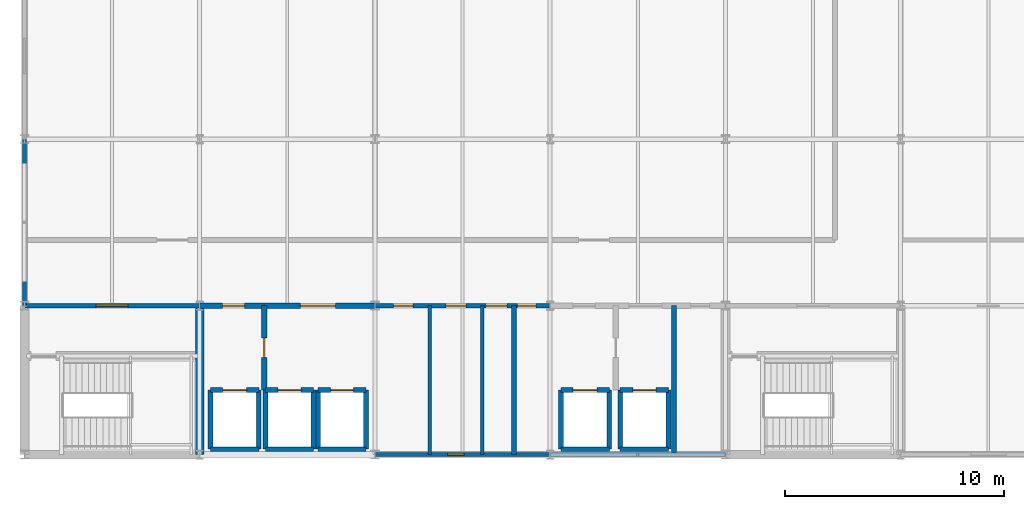
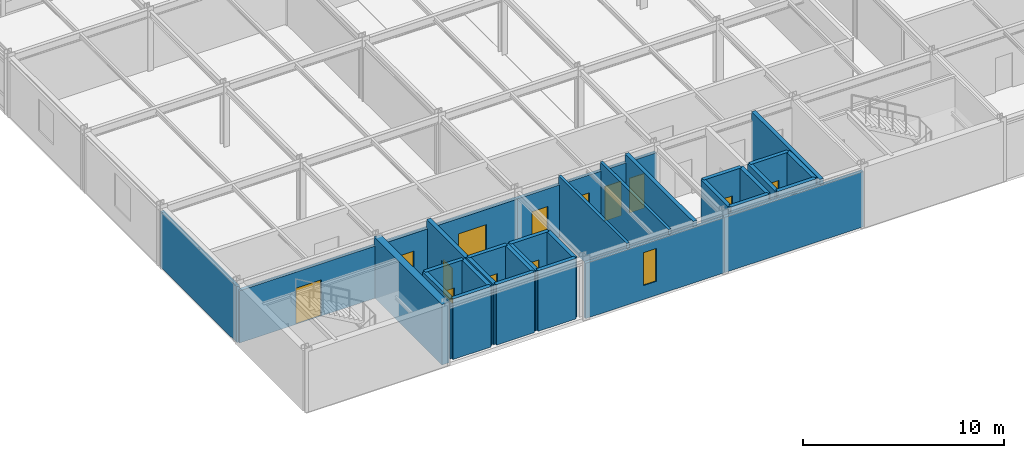
# One storey, part 13 of 17: 32 walls, 13 doors, 1 window, 14 openings.
"""IFC4 building model written with IfcOpenShell, lengths in metres."""

from ifc_helpers import new_model, si_unit, direction, frame, frame_2d, origin, place, context, subcontext, project, spatial, rectangle, extrude, material, layer, layer_set, type_object, element, fill, save


model = new_model("IFC4")

# Units and contexts
model_context = context("Model", 3, precision=1e-05, world=origin(), true_north=direction((0.0, 1.0)))
body_context = subcontext(model_context, "Body", "Model", "MODEL_VIEW")
ifc_project = project(units=[si_unit("LENGTHUNIT", "METRE"), si_unit("AREAUNIT", "SQUARE_METRE"), si_unit("VOLUMEUNIT", "CUBIC_METRE"), si_unit("PLANEANGLEUNIT", "RADIAN"), si_unit("MASSUNIT", "GRAM", prefix="KILO")], contexts=[model_context])

# Site, building, storey
site_placement = place(None, origin())
site = spatial("IfcSite", under=ifc_project, at=site_placement, CompositionType="ELEMENT")
building_placement = place(site_placement, origin())
building = spatial("IfcBuilding", under=site, at=building_placement, Name="Shalkamar Park Central Library", CompositionType="ELEMENT")
storey_placement = place(building_placement, frame((0.0, 0.0, 36.0)))
storey = spatial("IfcBuildingStorey", under=building, at=storey_placement, Name="L09", CompositionType="ELEMENT", Elevation=36.0)

# Wall, opening, door
ifc_material_1 = material(Name="Reinforced fire-compartment masonry wall", Category="masonry")
ifc_layer_1 = layer(ifc_material_1, 0.239990234375)
ifc_layer_set_1 = layer_set([ifc_layer_1], Name="CompartmentWall_240")
wall_type_1 = type_object("IfcWallType", Name="Compartment Wall 240", PredefinedType="PARTITIONING", material=ifc_layer_set_1)
wall_1_placement = place(storey_placement, frame((175.949951171875, 251.35009765625, 0.0), z_axis=(0.0, 0.0, 1.0), x_axis=(0.0, 1.0, 0.0)))
wall_1 = element("IfcWall", 1, at=wall_1_placement, inside=storey, type_object=wall_type_1, Name="Interior Partition WL-INT-L09-001", PredefinedType="PARTITIONING", context=body_context, shape_type="SweptSolid", body=[
    extrude(rectangle(XDim=3.849853515625, YDim=0.239990234375, at=frame_2d((1.9248046875, 0.0))), origin(), (0.0, 0.0, 1.0), 3.679931640625),
])
opening_1_placement = place(wall_1_placement, frame((1.47509765625, 0.0, 0.0)))
opening_1 = element("IfcOpeningElement", 2, at=opening_1_placement, cuts=wall_1, Name="Opening DR-L09-001", PredefinedType="OPENING", context=body_context, shape_type="SweptSolid", body=[
    extrude(rectangle(XDim=0.89990234375, YDim=2.10009765625, at=frame_2d((0.449951171875, 1.050048828125))), frame((0.0, 0.134765625, 0.0), z_axis=(0.0, -1.0, 0.0), x_axis=(1.0, 0.0, 0.0)), (0.0, 0.0, 1.0), 0.269775390625),
])
ifc_material_2 = material(Name="Steel S355", Category="steel")
door_type_1 = type_object("IfcDoorType", Name="Fire Door Single 900x2100", OperationType="NOTDEFINED", PredefinedType="DOOR", material=ifc_material_2)
door_1_placement = place(opening_1_placement, origin())
door_1 = element("IfcDoor", 3, at=door_1_placement, inside=storey, type_object=door_type_1, Name="Fire Lobby Interconnect Door", OperationType="SINGLE_SWING_LEFT", OverallHeight=2.10009765625, OverallWidth=0.89990234375, PredefinedType="DOOR", context=body_context, shape_type="SweptSolid", body=[
    extrude(rectangle(XDim=0.89990234375, YDim=2.10009765625, at=frame_2d((0.449951171875, 1.050048828125))), frame((0.0, 0.02490234375, 0.0), z_axis=(0.0, -1.0, 0.0), x_axis=(1.0, 0.0, 0.0)), (0.0, 0.0, 1.0), 0.050048828125),
])
fill(opening_1, door_1)

# Wall, openings, doors
wall_2_placement = place(storey_placement, frame((173.0, 255.199951171875, 0.0), z_axis=(0.0, 0.0, 1.0), x_axis=(1.0, 0.0, 0.0)))
wall_2 = element("IfcWall", 4, at=wall_2_placement, inside=storey, type_object=wall_type_1, Name="Interior Partition WL-INT-L09-007", PredefinedType="PARTITIONING", context=body_context, shape_type="SweptSolid", body=[
    extrude(rectangle(XDim=8.0, YDim=0.239990234375, at=frame_2d((4.0, 0.0))), origin(), (0.0, 0.0, 1.0), 3.177978515625),
])
opening_2_placement = place(wall_2_placement, frame((1.050048828125, 0.0, 0.0)))
opening_2 = element("IfcOpeningElement", 5, at=opening_2_placement, cuts=wall_2, Name="Opening DR-L09-003", PredefinedType="OPENING", context=body_context, shape_type="SweptSolid", body=[
    extrude(rectangle(XDim=1.0, YDim=2.10009765625, at=frame_2d((0.5, 1.050048828125))), frame((0.0, 0.134765625, 0.0), z_axis=(0.0, -1.0, 0.0), x_axis=(1.0, 0.0, 0.0)), (0.0, 0.0, 1.0), 0.269775390625),
])
opening_3_placement = place(wall_2_placement, frame((4.60009765625, 0.0, 0.0)))
opening_3 = element("IfcOpeningElement", 6, at=opening_3_placement, cuts=wall_2, Name="Opening DR-L09-004", PredefinedType="OPENING", context=body_context, shape_type="SweptSolid", body=[
    extrude(rectangle(XDim=1.60009765625, YDim=2.25, at=frame_2d((0.800048828125, 1.125))), frame((0.0, 0.134765625, 0.0), z_axis=(0.0, -1.0, 0.0), x_axis=(1.0, 0.0, 0.0)), (0.0, 0.0, 1.0), 0.269775390625),
])
door_type_2 = type_object("IfcDoorType", Name="Fire Door Single 1000x2100", OperationType="NOTDEFINED", PredefinedType="DOOR", material=ifc_material_2)
door_2_placement = place(opening_2_placement, origin())
door_2 = element("IfcDoor", 7, at=door_2_placement, inside=storey, type_object=door_type_2, Name="West Firefighting Lobby Door", OperationType="SINGLE_SWING_LEFT", OverallHeight=2.10009765625, OverallWidth=1.0, PredefinedType="DOOR", context=body_context, shape_type="SweptSolid", body=[
    extrude(rectangle(XDim=1.0, YDim=2.10009765625, at=frame_2d((0.5, 1.050048828125))), frame((0.0, 0.02490234375, 0.0), z_axis=(0.0, -1.0, 0.0), x_axis=(1.0, 0.0, 0.0)), (0.0, 0.0, 1.0), 0.050048828125),
])
fill(opening_2, door_2)
door_type_3 = type_object("IfcDoorType", Name="Interior Door Double 1600x2250", OperationType="DOUBLE_DOOR_SINGLE_SWING", PredefinedType="DOOR", material=ifc_material_2)
door_3_placement = place(opening_3_placement, frame((1.60009765625, 0.0, 0.0), z_axis=(0.0, 0.0, 1.0), x_axis=(-1.0, 0.0, 0.0)))
door_3 = element("IfcDoor", 8, at=door_3_placement, inside=storey, type_object=door_type_3, Name="West Lift Lobby Entrance", OperationType="DOUBLE_DOOR_SINGLE_SWING", OverallHeight=2.25, OverallWidth=1.60009765625, PredefinedType="DOOR", context=body_context, shape_type="SweptSolid", body=[
    extrude(rectangle(XDim=1.60009765625, YDim=2.25, at=frame_2d((0.800048828125, 1.125))), frame((0.0, 0.02490234375, 0.0), z_axis=(0.0, -1.0, 0.0), x_axis=(1.0, 0.0, 0.0)), (0.0, 0.0, 1.0), 0.050048828125),
])
fill(opening_3, door_3)

# Wall, opening, door
ifc_material_3 = material(Name="Fire-rated corridor partition wall", Category="masonry")
ifc_layer_2 = layer(ifc_material_3, 0.199951171875)
ifc_layer_set_2 = layer_set([ifc_layer_2], Name="CorridorFireWall_200")
wall_type_2 = type_object("IfcWallType", Name="Corridor Fire Wall 200", PredefinedType="PARTITIONING", material=ifc_layer_set_2)
wall_3_placement = place(storey_placement, frame((165.0, 255.199951171875, 0.0), z_axis=(0.0, 0.0, 1.0), x_axis=(1.0, 0.0, 0.0)))
wall_3 = element("IfcWall", 9, at=wall_3_placement, inside=storey, type_object=wall_type_2, Name="CORE-T1 Vestibule North Wall (L09)", PredefinedType="PARTITIONING", context=body_context, shape_type="SweptSolid", body=[
    extrude(rectangle(XDim=8.0, YDim=0.199951171875, at=frame_2d((4.0, 0.0))), origin(), (0.0, 0.0, 1.0), 3.177978515625),
])
opening_4_placement = place(wall_3_placement, frame((3.27490234375, 0.0, 0.0)))
opening_4 = element("IfcOpeningElement", 10, at=opening_4_placement, cuts=wall_3, Name="Opening DR-ST-T1-L09-VEST", PredefinedType="OPENING", context=body_context, shape_type="SweptSolid", body=[
    extrude(rectangle(XDim=1.449951171875, YDim=2.199951171875, at=frame_2d((0.72509765625, 1.10009765625))), frame((0.0, 0.11474609375, 0.0), z_axis=(0.0, -1.0, 0.0), x_axis=(1.0, 0.0, 0.0)), (0.0, 0.0, 1.0), 0.229736328125),
])
door_type_4 = type_object("IfcDoorType", Name="Stair Vestibule Door 1450x2200", OperationType="DOUBLE_DOOR_SINGLE_SWING", PredefinedType="DOOR", material=ifc_material_2)
door_4_placement = place(opening_4_placement, frame((1.449951171875, 0.0, 0.0), z_axis=(0.0, 0.0, 1.0), x_axis=(-1.0, 0.0, 0.0)))
door_4 = element("IfcDoor", 11, at=door_4_placement, inside=storey, type_object=door_type_4, Name="Protected Stair ST-T1 Vestibule Door (L09)", OperationType="DOUBLE_DOOR_SINGLE_SWING", OverallHeight=2.199951171875, OverallWidth=1.449951171875, PredefinedType="DOOR", context=body_context, shape_type="SweptSolid", body=[
    extrude(rectangle(XDim=1.449951171875, YDim=2.199951171875, at=frame_2d((0.72509765625, 1.10009765625))), frame((0.0, 0.02490234375, 0.0), z_axis=(0.0, -1.0, 0.0), x_axis=(1.0, 0.0, 0.0)), (0.0, 0.0, 1.0), 0.050048828125),
])
fill(opening_4, door_4)

# Wall, openings, doors
wall_4_placement = place(storey_placement, frame((181.0, 255.199951171875, 0.0), z_axis=(0.0, 0.0, 1.0), x_axis=(1.0, 0.0, 0.0)))
wall_4 = element("IfcWall", 12, at=wall_4_placement, inside=storey, type_object=wall_type_2, Name="Interior Partition WL-INT-L09-008", PredefinedType="PARTITIONING", context=body_context, shape_type="SweptSolid", body=[
    extrude(rectangle(XDim=8.0, YDim=0.199951171875, at=frame_2d((4.0, 0.0))), origin(), (0.0, 0.0, 1.0), 3.177978515625),
])
opening_5_placement = place(wall_4_placement, frame((0.85009765625, 0.0, 0.0)))
opening_5 = element("IfcOpeningElement", 13, at=opening_5_placement, cuts=wall_4, Name="Opening DR-L09-005", PredefinedType="OPENING", context=body_context, shape_type="SweptSolid", body=[
    extrude(rectangle(XDim=0.89990234375, YDim=2.10009765625, at=frame_2d((0.449951171875, 1.050048828125))), frame((0.0, 0.11474609375, 0.0), z_axis=(0.0, -1.0, 0.0), x_axis=(1.0, 0.0, 0.0)), (0.0, 0.0, 1.0), 0.229736328125),
])
opening_6_placement = place(wall_4_placement, frame((3.25, 0.0, 0.0)))
opening_6 = element("IfcOpeningElement", 14, at=opening_6_placement, cuts=wall_4, Name="Opening DR-L09-006", PredefinedType="OPENING", context=body_context, shape_type="SweptSolid", body=[
    extrude(rectangle(XDim=0.89990234375, YDim=2.10009765625, at=frame_2d((0.449951171875, 1.050048828125))), frame((0.0, 0.11474609375, 0.0), z_axis=(0.0, -1.0, 0.0), x_axis=(1.0, 0.0, 0.0)), (0.0, 0.0, 1.0), 0.229736328125),
])
opening_7_placement = place(wall_4_placement, frame((5.074951171875, 0.0, 0.0)))
opening_7 = element("IfcOpeningElement", 15, at=opening_7_placement, cuts=wall_4, Name="Opening DR-L09-007", PredefinedType="OPENING", context=body_context, shape_type="SweptSolid", body=[
    extrude(rectangle(XDim=0.949951171875, YDim=2.10009765625, at=frame_2d((0.47509765625, 1.050048828125))), frame((0.0, 0.11474609375, 0.0), z_axis=(0.0, -1.0, 0.0), x_axis=(1.0, 0.0, 0.0)), (0.0, 0.0, 1.0), 0.229736328125),
])
opening_8_placement = place(wall_4_placement, frame((6.5, 0.0, 0.0)))
opening_8 = element("IfcOpeningElement", 16, at=opening_8_placement, cuts=wall_4, Name="Opening DR-L09-008", PredefinedType="OPENING", context=body_context, shape_type="SweptSolid", body=[
    extrude(rectangle(XDim=0.85009765625, YDim=2.10009765625, at=frame_2d((0.425048828125, 1.050048828125))), frame((0.0, 0.11474609375, 0.0), z_axis=(0.0, -1.0, 0.0), x_axis=(1.0, 0.0, 0.0)), (0.0, 0.0, 1.0), 0.229736328125),
])
door_type_5 = type_object("IfcDoorType", Name="Fire Door Riser 850x2100", OperationType="NOTDEFINED", PredefinedType="DOOR", material=ifc_material_2)
door_5_placement = place(opening_8_placement, frame((0.85009765625, 0.0, 0.0), z_axis=(0.0, 0.0, 1.0), x_axis=(-1.0, 0.0, 0.0)))
door_5 = element("IfcDoor", 17, at=door_5_placement, inside=storey, type_object=door_type_5, Name="Electrical Riser Access Door", OperationType="SINGLE_SWING_LEFT", OverallHeight=2.10009765625, OverallWidth=0.85009765625, PredefinedType="DOOR", context=body_context, shape_type="SweptSolid", body=[
    extrude(rectangle(XDim=0.85009765625, YDim=2.10009765625, at=frame_2d((0.425048828125, 1.050048828125))), frame((0.0, 0.02490234375, 0.0), z_axis=(0.0, -1.0, 0.0), x_axis=(1.0, 0.0, 0.0)), (0.0, 0.0, 1.0), 0.050048828125),
])
fill(opening_8, door_5)
door_type_6 = type_object("IfcDoorType", Name="Interior Door Single 900x2100", OperationType="NOTDEFINED", PredefinedType="DOOR", material=ifc_material_2)
door_6_placement = place(opening_5_placement, frame((0.89990234375, 0.0, 0.0), z_axis=(0.0, 0.0, 1.0), x_axis=(-1.0, 0.0, 0.0)))
door_6 = element("IfcDoor", 18, at=door_6_placement, inside=storey, type_object=door_type_6, Name="Male WC Door", OperationType="SINGLE_SWING_RIGHT", OverallHeight=2.10009765625, OverallWidth=0.89990234375, PredefinedType="DOOR", context=body_context, shape_type="SweptSolid", body=[
    extrude(rectangle(XDim=0.89990234375, YDim=2.10009765625, at=frame_2d((0.449951171875, 1.050048828125))), frame((0.0, 0.02490234375, 0.0), z_axis=(0.0, -1.0, 0.0), x_axis=(1.0, 0.0, 0.0)), (0.0, 0.0, 1.0), 0.050048828125),
])
fill(opening_5, door_6)
door_7_placement = place(opening_6_placement, frame((0.89990234375, 0.0, 0.0), z_axis=(0.0, 0.0, 1.0), x_axis=(-1.0, 0.0, 0.0)))
door_7 = element("IfcDoor", 19, at=door_7_placement, inside=storey, type_object=door_type_6, Name="Female WC Door", OperationType="SINGLE_SWING_RIGHT", OverallHeight=2.10009765625, OverallWidth=0.89990234375, PredefinedType="DOOR", context=body_context, shape_type="SweptSolid", body=[
    extrude(rectangle(XDim=0.89990234375, YDim=2.10009765625, at=frame_2d((0.449951171875, 1.050048828125))), frame((0.0, 0.02490234375, 0.0), z_axis=(0.0, -1.0, 0.0), x_axis=(1.0, 0.0, 0.0)), (0.0, 0.0, 1.0), 0.050048828125),
])
fill(opening_6, door_7)
door_type_7 = type_object("IfcDoorType", Name="Interior Door Single 950x2100", OperationType="NOTDEFINED", PredefinedType="DOOR", material=ifc_material_2)
door_8_placement = place(opening_7_placement, frame((0.949951171875, 0.0, 0.0), z_axis=(0.0, 0.0, 1.0), x_axis=(-1.0, 0.0, 0.0)))
door_8 = element("IfcDoor", 20, at=door_8_placement, inside=storey, type_object=door_type_7, Name="Universal Accessible WC Door", OperationType="SINGLE_SWING_LEFT", OverallHeight=2.10009765625, OverallWidth=0.949951171875, PredefinedType="DOOR", context=body_context, shape_type="SweptSolid", body=[
    extrude(rectangle(XDim=0.949951171875, YDim=2.10009765625, at=frame_2d((0.47509765625, 1.050048828125))), frame((0.0, 0.02490234375, 0.0), z_axis=(0.0, -1.0, 0.0), x_axis=(1.0, 0.0, 0.0)), (0.0, 0.0, 1.0), 0.050048828125),
])
fill(opening_7, door_8)

# Walls
ifc_material_4 = material(Name="Concrete C40/50", Category="concrete")
ifc_layer_3 = layer(ifc_material_4, 0.219970703125)
ifc_layer_set_3 = layer_set([ifc_layer_3], Name="Concrete C40/50")
wall_type_3 = type_object("IfcWallType", Name="Lift Hoistway Shear Wall 220", PredefinedType="SHEAR", material=ifc_layer_set_3)
wall_5_placement = place(storey_placement, frame((173.5, 248.64990234375, 0.0), z_axis=(0.0, 0.0, 1.0), x_axis=(1.0, 0.0, 0.0)))
element("IfcWall", 21, at=wall_5_placement, inside=storey, type_object=wall_type_3, Name="Lift FFL-01 Hoistway South Wall (L09)", PredefinedType="SHEAR", context=body_context, shape_type="SweptSolid", body=[
    extrude(rectangle(XDim=2.199951171875, YDim=0.219970703125, at=frame_2d((1.10009765625, 0.0))), origin(), (0.0, 0.0, 1.0), 3.679931640625),
])
for number, where, z_axis, x_axis, name in (
    (22, (173.5, 248.64990234375, 0.0), (0.0, 0.0, 1.0), (0.0, 1.0, 0.0), "Lift FFL-01 Hoistway West Wall (L09)"),
    (23, (175.699951171875, 248.64990234375, 0.0), (0.0, 0.0, 1.0), (0.0, 1.0, 0.0), "Lift FFL-01 Hoistway East Wall (L09)"),
):
    element("IfcWall", number, at=place(storey_placement, frame(where, z_axis=z_axis, x_axis=x_axis)), inside=storey, type_object=wall_type_3, Name=name, PredefinedType="SHEAR", context=body_context, shape_type="SweptSolid", body=[
        extrude(rectangle(XDim=2.7001953125, YDim=0.219970703125, at=frame_2d((1.35009765625, 0.0))), origin(), (0.0, 0.0, 1.0), 3.679931640625),
    ])

# Wall, opening, door
wall_6_placement = place(storey_placement, frame((173.5, 251.35009765625, 0.0), z_axis=(0.0, 0.0, 1.0), x_axis=(1.0, 0.0, 0.0)))
wall_6 = element("IfcWall", 24, at=wall_6_placement, inside=storey, type_object=wall_type_3, Name="Lift FFL-01 Hoistway Front Wall (L09)", PredefinedType="SHEAR", context=body_context, shape_type="SweptSolid", body=[
    extrude(rectangle(XDim=2.199951171875, YDim=0.219970703125, at=frame_2d((1.10009765625, 0.0))), origin(), (0.0, 0.0, 1.0), 3.679931640625),
])
opening_9_placement = place(wall_6_placement, frame((0.550048828125, 0.0, 0.0)))
opening_9 = element("IfcOpeningElement", 25, at=opening_9_placement, cuts=wall_6, Name="Opening LD-FFL-01-L09", PredefinedType="OPENING", context=body_context, shape_type="SweptSolid", body=[
    extrude(rectangle(XDim=1.10009765625, YDim=2.14990234375, at=frame_2d((0.550048828125, 1.074951171875))), frame((0.0, 0.125, 0.0), z_axis=(0.0, -1.0, 0.0), x_axis=(1.0, 0.0, 0.0)), (0.0, 0.0, 1.0), 0.249755859375),
])
door_type_8 = type_object("IfcDoorType", Name="Fire Lift Landing Door 1100x2150", OperationType="DOUBLE_DOOR_SLIDING", PredefinedType="USERDEFINED", material=ifc_material_2)
door_9_placement = place(opening_9_placement, origin())
door_9 = element("IfcDoor", 26, at=door_9_placement, inside=storey, type_object=door_type_8, Name="Lift FFL-01 Sliding Landing Door (L09)", ObjectType="SLIDING LANDING DOOR", OperationType="DOUBLE_DOOR_SLIDING", OverallHeight=2.14990234375, OverallWidth=1.10009765625, PredefinedType="USERDEFINED", context=body_context, shape_type="SweptSolid", body=[
    extrude(rectangle(XDim=1.10009765625, YDim=2.14990234375, at=frame_2d((0.550048828125, 1.074951171875))), frame((0.0, 0.02490234375, 0.0), z_axis=(0.0, -1.0, 0.0), x_axis=(1.0, 0.0, 0.0)), (0.0, 0.0, 1.0), 0.050048828125),
])
fill(opening_9, door_9)

# Walls
wall_7_placement = place(storey_placement, frame((176.0, 248.64990234375, 0.0), z_axis=(0.0, 0.0, 1.0), x_axis=(1.0, 0.0, 0.0)))
element("IfcWall", 27, at=wall_7_placement, inside=storey, type_object=wall_type_3, Name="Lift LT-01 Hoistway South Wall (L09)", PredefinedType="SHEAR", context=body_context, shape_type="SweptSolid", body=[
    extrude(rectangle(XDim=2.199951171875, YDim=0.219970703125, at=frame_2d((1.10009765625, 0.0))), origin(), (0.0, 0.0, 1.0), 3.679931640625),
])
for number, where, z_axis, x_axis, name in (
    (28, (176.0, 248.64990234375, 0.0), (0.0, 0.0, 1.0), (0.0, 1.0, 0.0), "Lift LT-01 Hoistway West Wall (L09)"),
    (29, (178.199951171875, 248.64990234375, 0.0), (0.0, 0.0, 1.0), (0.0, 1.0, 0.0), "Lift LT-01 Hoistway East Wall (L09)"),
):
    element("IfcWall", number, at=place(storey_placement, frame(where, z_axis=z_axis, x_axis=x_axis)), inside=storey, type_object=wall_type_3, Name=name, PredefinedType="SHEAR", context=body_context, shape_type="SweptSolid", body=[
        extrude(rectangle(XDim=2.7001953125, YDim=0.219970703125, at=frame_2d((1.35009765625, 0.0))), origin(), (0.0, 0.0, 1.0), 3.679931640625),
    ])

# Wall, opening, door
wall_8_placement = place(storey_placement, frame((176.0, 251.35009765625, 0.0), z_axis=(0.0, 0.0, 1.0), x_axis=(1.0, 0.0, 0.0)))
wall_8 = element("IfcWall", 30, at=wall_8_placement, inside=storey, type_object=wall_type_3, Name="Lift LT-01 Hoistway Front Wall (L09)", PredefinedType="SHEAR", context=body_context, shape_type="SweptSolid", body=[
    extrude(rectangle(XDim=2.199951171875, YDim=0.219970703125, at=frame_2d((1.10009765625, 0.0))), origin(), (0.0, 0.0, 1.0), 3.679931640625),
])
opening_10_placement = place(wall_8_placement, frame((0.574951171875, 0.0, 0.0)))
opening_10 = element("IfcOpeningElement", 31, at=opening_10_placement, cuts=wall_8, Name="Opening LD-LT-01-L09", PredefinedType="OPENING", context=body_context, shape_type="SweptSolid", body=[
    extrude(rectangle(XDim=1.050048828125, YDim=2.14990234375, at=frame_2d((0.52490234375, 1.074951171875))), frame((0.0, 0.125, 0.0), z_axis=(0.0, -1.0, 0.0), x_axis=(1.0, 0.0, 0.0)), (0.0, 0.0, 1.0), 0.249755859375),
])
door_type_9 = type_object("IfcDoorType", Name="Passenger Lift Landing Door 1050x2150", OperationType="DOUBLE_DOOR_SLIDING", PredefinedType="USERDEFINED", material=ifc_material_2)
door_10_placement = place(opening_10_placement, origin())
door_10 = element("IfcDoor", 32, at=door_10_placement, inside=storey, type_object=door_type_9, Name="Lift LT-01 Sliding Landing Door (L09)", ObjectType="SLIDING LANDING DOOR", OperationType="DOUBLE_DOOR_SLIDING", OverallHeight=2.14990234375, OverallWidth=1.050048828125, PredefinedType="USERDEFINED", context=body_context, shape_type="SweptSolid", body=[
    extrude(rectangle(XDim=1.050048828125, YDim=2.14990234375, at=frame_2d((0.52490234375, 1.074951171875))), frame((0.0, 0.02490234375, 0.0), z_axis=(0.0, -1.0, 0.0), x_axis=(1.0, 0.0, 0.0)), (0.0, 0.0, 1.0), 0.050048828125),
])
fill(opening_10, door_10)

# Walls
wall_9_placement = place(storey_placement, frame((178.39990234375, 248.64990234375, 0.0), z_axis=(0.0, 0.0, 1.0), x_axis=(1.0, 0.0, 0.0)))
element("IfcWall", 33, at=wall_9_placement, inside=storey, type_object=wall_type_3, Name="Lift LT-02 Hoistway South Wall (L09)", PredefinedType="SHEAR", context=body_context, shape_type="SweptSolid", body=[
    extrude(rectangle(XDim=2.2001953125, YDim=0.219970703125, at=frame_2d((1.10009765625, 0.0))), origin(), (0.0, 0.0, 1.0), 3.679931640625),
])
for number, where, z_axis, x_axis, name in (
    (34, (178.39990234375, 248.64990234375, 0.0), (0.0, 0.0, 1.0), (0.0, 1.0, 0.0), "Lift LT-02 Hoistway West Wall (L09)"),
    (35, (180.60009765625, 248.64990234375, 0.0), (0.0, 0.0, 1.0), (0.0, 1.0, 0.0), "Lift LT-02 Hoistway East Wall (L09)"),
):
    element("IfcWall", number, at=place(storey_placement, frame(where, z_axis=z_axis, x_axis=x_axis)), inside=storey, type_object=wall_type_3, Name=name, PredefinedType="SHEAR", context=body_context, shape_type="SweptSolid", body=[
        extrude(rectangle(XDim=2.7001953125, YDim=0.219970703125, at=frame_2d((1.35009765625, 0.0))), origin(), (0.0, 0.0, 1.0), 3.679931640625),
    ])

# Wall, opening, door
wall_10_placement = place(storey_placement, frame((178.39990234375, 251.35009765625, 0.0), z_axis=(0.0, 0.0, 1.0), x_axis=(1.0, 0.0, 0.0)))
wall_10 = element("IfcWall", 36, at=wall_10_placement, inside=storey, type_object=wall_type_3, Name="Lift LT-02 Hoistway Front Wall (L09)", PredefinedType="SHEAR", context=body_context, shape_type="SweptSolid", body=[
    extrude(rectangle(XDim=2.2001953125, YDim=0.219970703125, at=frame_2d((1.10009765625, 0.0))), origin(), (0.0, 0.0, 1.0), 3.679931640625),
])
opening_11_placement = place(wall_10_placement, frame((0.574951171875, 0.0, 0.0)))
opening_11 = element("IfcOpeningElement", 37, at=opening_11_placement, cuts=wall_10, Name="Opening LD-LT-02-L09", PredefinedType="OPENING", context=body_context, shape_type="SweptSolid", body=[
    extrude(rectangle(XDim=1.050048828125, YDim=2.14990234375, at=frame_2d((0.52490234375, 1.074951171875))), frame((0.0, 0.125, 0.0), z_axis=(0.0, -1.0, 0.0), x_axis=(1.0, 0.0, 0.0)), (0.0, 0.0, 1.0), 0.249755859375),
])
door_11_placement = place(opening_11_placement, origin())
door_11 = element("IfcDoor", 38, at=door_11_placement, inside=storey, type_object=door_type_9, Name="Lift LT-02 Sliding Landing Door (L09)", ObjectType="SLIDING LANDING DOOR", OperationType="DOUBLE_DOOR_SLIDING", OverallHeight=2.14990234375, OverallWidth=1.050048828125, PredefinedType="USERDEFINED", context=body_context, shape_type="SweptSolid", body=[
    extrude(rectangle(XDim=1.050048828125, YDim=2.14990234375, at=frame_2d((0.52490234375, 1.074951171875))), frame((0.0, 0.02490234375, 0.0), z_axis=(0.0, -1.0, 0.0), x_axis=(1.0, 0.0, 0.0)), (0.0, 0.0, 1.0), 0.050048828125),
])
fill(opening_11, door_11)

# Walls
wall_11_placement = place(storey_placement, frame((189.5, 248.64990234375, 0.0), z_axis=(0.0, 0.0, 1.0), x_axis=(1.0, 0.0, 0.0)))
element("IfcWall", 39, at=wall_11_placement, inside=storey, type_object=wall_type_3, Name="Lift FFL-02 Hoistway South Wall (L09)", PredefinedType="SHEAR", context=body_context, shape_type="SweptSolid", body=[
    extrude(rectangle(XDim=2.199951171875, YDim=0.219970703125, at=frame_2d((1.10009765625, 0.0))), origin(), (0.0, 0.0, 1.0), 3.679931640625),
])
for number, where, z_axis, x_axis, name in (
    (40, (189.5, 248.64990234375, 0.0), (0.0, 0.0, 1.0), (0.0, 1.0, 0.0), "Lift FFL-02 Hoistway West Wall (L09)"),
    (41, (191.699951171875, 248.64990234375, 0.0), (0.0, 0.0, 1.0), (0.0, 1.0, 0.0), "Lift FFL-02 Hoistway East Wall (L09)"),
):
    element("IfcWall", number, at=place(storey_placement, frame(where, z_axis=z_axis, x_axis=x_axis)), inside=storey, type_object=wall_type_3, Name=name, PredefinedType="SHEAR", context=body_context, shape_type="SweptSolid", body=[
        extrude(rectangle(XDim=2.7001953125, YDim=0.219970703125, at=frame_2d((1.35009765625, 0.0))), origin(), (0.0, 0.0, 1.0), 3.679931640625),
    ])

# Wall, opening, door
wall_12_placement = place(storey_placement, frame((189.5, 251.35009765625, 0.0), z_axis=(0.0, 0.0, 1.0), x_axis=(1.0, 0.0, 0.0)))
wall_12 = element("IfcWall", 42, at=wall_12_placement, inside=storey, type_object=wall_type_3, Name="Lift FFL-02 Hoistway Front Wall (L09)", PredefinedType="SHEAR", context=body_context, shape_type="SweptSolid", body=[
    extrude(rectangle(XDim=2.199951171875, YDim=0.219970703125, at=frame_2d((1.10009765625, 0.0))), origin(), (0.0, 0.0, 1.0), 3.679931640625),
])
opening_12_placement = place(wall_12_placement, frame((0.550048828125, 0.0, 0.0)))
opening_12 = element("IfcOpeningElement", 43, at=opening_12_placement, cuts=wall_12, Name="Opening LD-FFL-02-L09", PredefinedType="OPENING", context=body_context, shape_type="SweptSolid", body=[
    extrude(rectangle(XDim=1.10009765625, YDim=2.14990234375, at=frame_2d((0.550048828125, 1.074951171875))), frame((0.0, 0.125, 0.0), z_axis=(0.0, -1.0, 0.0), x_axis=(1.0, 0.0, 0.0)), (0.0, 0.0, 1.0), 0.249755859375),
])
door_12_placement = place(opening_12_placement, origin())
door_12 = element("IfcDoor", 44, at=door_12_placement, inside=storey, type_object=door_type_8, Name="Lift FFL-02 Sliding Landing Door (L09)", ObjectType="SLIDING LANDING DOOR", OperationType="DOUBLE_DOOR_SLIDING", OverallHeight=2.14990234375, OverallWidth=1.10009765625, PredefinedType="USERDEFINED", context=body_context, shape_type="SweptSolid", body=[
    extrude(rectangle(XDim=1.10009765625, YDim=2.14990234375, at=frame_2d((0.550048828125, 1.074951171875))), frame((0.0, 0.02490234375, 0.0), z_axis=(0.0, -1.0, 0.0), x_axis=(1.0, 0.0, 0.0)), (0.0, 0.0, 1.0), 0.050048828125),
])
fill(opening_12, door_12)

# Walls
wall_13_placement = place(storey_placement, frame((192.199951171875, 248.64990234375, 0.0), z_axis=(0.0, 0.0, 1.0), x_axis=(1.0, 0.0, 0.0)))
element("IfcWall", 45, at=wall_13_placement, inside=storey, type_object=wall_type_3, Name="Lift LT-03 Hoistway South Wall (L09)", PredefinedType="SHEAR", context=body_context, shape_type="SweptSolid", body=[
    extrude(rectangle(XDim=2.199951171875, YDim=0.219970703125, at=frame_2d((1.10009765625, 0.0))), origin(), (0.0, 0.0, 1.0), 3.679931640625),
])
for number, where, z_axis, x_axis, name in (
    (46, (192.199951171875, 248.64990234375, 0.0), (0.0, 0.0, 1.0), (0.0, 1.0, 0.0), "Lift LT-03 Hoistway West Wall (L09)"),
    (47, (194.39990234375, 248.64990234375, 0.0), (0.0, 0.0, 1.0), (0.0, 1.0, 0.0), "Lift LT-03 Hoistway East Wall (L09)"),
):
    element("IfcWall", number, at=place(storey_placement, frame(where, z_axis=z_axis, x_axis=x_axis)), inside=storey, type_object=wall_type_3, Name=name, PredefinedType="SHEAR", context=body_context, shape_type="SweptSolid", body=[
        extrude(rectangle(XDim=2.7001953125, YDim=0.219970703125, at=frame_2d((1.35009765625, 0.0))), origin(), (0.0, 0.0, 1.0), 3.679931640625),
    ])

# Wall, opening, door
wall_14_placement = place(storey_placement, frame((192.199951171875, 251.35009765625, 0.0), z_axis=(0.0, 0.0, 1.0), x_axis=(1.0, 0.0, 0.0)))
wall_14 = element("IfcWall", 48, at=wall_14_placement, inside=storey, type_object=wall_type_3, Name="Lift LT-03 Hoistway Front Wall (L09)", PredefinedType="SHEAR", context=body_context, shape_type="SweptSolid", body=[
    extrude(rectangle(XDim=2.199951171875, YDim=0.219970703125, at=frame_2d((1.10009765625, 0.0))), origin(), (0.0, 0.0, 1.0), 3.679931640625),
])
opening_13_placement = place(wall_14_placement, frame((0.574951171875, 0.0, 0.0)))
opening_13 = element("IfcOpeningElement", 49, at=opening_13_placement, cuts=wall_14, Name="Opening LD-LT-03-L09", PredefinedType="OPENING", context=body_context, shape_type="SweptSolid", body=[
    extrude(rectangle(XDim=1.050048828125, YDim=2.14990234375, at=frame_2d((0.52490234375, 1.074951171875))), frame((0.0, 0.125, 0.0), z_axis=(0.0, -1.0, 0.0), x_axis=(1.0, 0.0, 0.0)), (0.0, 0.0, 1.0), 0.249755859375),
])
door_13_placement = place(opening_13_placement, origin())
door_13 = element("IfcDoor", 50, at=door_13_placement, inside=storey, type_object=door_type_9, Name="Lift LT-03 Sliding Landing Door (L09)", ObjectType="SLIDING LANDING DOOR", OperationType="DOUBLE_DOOR_SLIDING", OverallHeight=2.14990234375, OverallWidth=1.050048828125, PredefinedType="USERDEFINED", context=body_context, shape_type="SweptSolid", body=[
    extrude(rectangle(XDim=1.050048828125, YDim=2.14990234375, at=frame_2d((0.52490234375, 1.074951171875))), frame((0.0, 0.02490234375, 0.0), z_axis=(0.0, -1.0, 0.0), x_axis=(1.0, 0.0, 0.0)), (0.0, 0.0, 1.0), 0.050048828125),
])
fill(opening_13, door_13)

# Walls
ifc_material_5 = material(Name="Moisture-resistant sanitary partition", Category="masonry")
ifc_layer_4 = layer(ifc_material_5, 0.159912109375)
ifc_layer_set_4 = layer_set([ifc_layer_4], Name="PlumbingChaseWall_160")
wall_type_4 = type_object("IfcWallType", Name="Plumbing Chase Wall 160", PredefinedType="PARTITIONING", material=ifc_layer_set_4)
for number, where, z_axis, x_axis, name in (
    (51, (183.5, 248.39990234375, 0.0), (0.0, 0.0, 1.0), (0.0, 1.0, 0.0), "Interior Partition WL-INT-L09-004"),
    (52, (185.89990234375, 248.39990234375, 0.0), (0.0, 0.0, 1.0), (0.0, 1.0, 0.0), "Interior Partition WL-INT-L09-005"),
):
    element("IfcWall", number, at=place(storey_placement, frame(where, z_axis=z_axis, x_axis=x_axis)), inside=storey, type_object=wall_type_4, Name=name, PredefinedType="PARTITIONING", context=body_context, shape_type="SweptSolid", body=[
        extrude(rectangle(XDim=6.800048828125, YDim=0.159912109375, at=frame_2d((3.39990234375, 0.0))), origin(), (0.0, 0.0, 1.0), 3.679931640625),
    ])
ifc_material_6 = material(Name="Fire-rated shaft enclosure wall", Category="masonry")
ifc_layer_5 = layer(ifc_material_6, 0.219970703125)
ifc_layer_set_5 = layer_set([ifc_layer_5], Name="ShaftWall_220")
wall_type_5 = type_object("IfcWallType", Name="Shaft Wall 220", PredefinedType="PARTITIONING", material=ifc_layer_set_5)
for number, where, z_axis, x_axis, name in (
    (53, (194.64990234375, 248.39990234375, 0.0), (0.0, 0.0, 1.0), (0.0, 1.0, 0.0), "Interior Partition WL-INT-L09-003"),
    (54, (187.35009765625, 248.39990234375, 0.0), (0.0, 0.0, 1.0), (0.0, 1.0, 0.0), "Interior Partition WL-INT-L09-006"),
):
    element("IfcWall", number, at=place(storey_placement, frame(where, z_axis=z_axis, x_axis=x_axis)), inside=storey, type_object=wall_type_5, Name=name, PredefinedType="PARTITIONING", context=body_context, shape_type="SweptSolid", body=[
        extrude(rectangle(XDim=6.800048828125, YDim=0.219970703125, at=frame_2d((3.39990234375, 0.0))), origin(), (0.0, 0.0, 1.0), 3.679931640625),
    ])
ifc_layer_6 = layer(ifc_material_4, 0.39990234375)
ifc_layer_set_6 = layer_set([ifc_layer_6], Name="Concrete C40/50")
wall_type_6 = type_object("IfcWallType", Name="Tower Core Shear Wall 400", PredefinedType="SHEAR", material=ifc_layer_set_6)
wall_15_placement = place(storey_placement, frame((173.0, 248.39990234375, 0.0), z_axis=(0.0, 0.0, 1.0), x_axis=(0.0, 1.0, 0.0)))
element("IfcWall", 55, at=wall_15_placement, inside=storey, type_object=wall_type_6, Name="CORE-T1 East Shear Wall (L09)", PredefinedType="SHEAR", context=body_context, shape_type="SweptSolid", body=[
    extrude(rectangle(XDim=6.800048828125, YDim=0.39990234375, at=frame_2d((3.39990234375, 0.0))), origin(), (0.0, 0.0, 1.0), 3.679931640625),
])

# Wall, opening, window
ifc_material_7 = material(Name="Terracotta insulated wall panel", Category="masonry")
ifc_layer_7 = layer(ifc_material_7, 0.179931640625)
ifc_layer_set_7 = layer_set([ifc_layer_7], Name="TowerSpandrelWall_180")
wall_type_7 = type_object("IfcWallType", Name="Tower Spandrel Wall 180", PredefinedType="SOLIDWALL", material=ifc_layer_set_7)
wall_16_placement = place(storey_placement, frame((181.006103515625, 248.39990234375, 0.0), z_axis=(0.0, 0.0, 1.0), x_axis=(1.0, 0.0, 0.0)))
wall_16 = element("IfcWall", 56, at=wall_16_placement, inside=storey, type_object=wall_type_7, Name="Exterior Facade Wall WL-EXT-L09-186", PredefinedType="SOLIDWALL", context=body_context, shape_type="SweptSolid", body=[
    extrude(rectangle(XDim=7.98779296875, YDim=0.179931640625, at=frame_2d((3.993896484375, 0.0))), origin(), (0.0, 0.0, 1.0), 3.367919921875),
])
opening_14_placement = place(wall_16_placement, frame((3.319091796875, 0.0, 0.85009765625)))
opening_14 = element("IfcOpeningElement", 57, at=opening_14_placement, cuts=wall_16, Name="Opening WN-18", PredefinedType="OPENING", context=body_context, shape_type="SweptSolid", body=[
    extrude(rectangle(XDim=0.75, YDim=2.0, at=frame_2d((0.375, 1.0))), frame((0.0, 0.10498046875, 0.0), z_axis=(0.0, -1.0, 0.0), x_axis=(1.0, 0.0, 0.0)), (0.0, 0.0, 1.0), 0.209716796875),
])
ifc_material_8 = material(Name="Thermally broken aluminium and triple low-e glass", Category="glass")
window_type = type_object("IfcWindowType", Name="Archive Slit Window 750x2000", PartitioningType="SINGLE_PANEL", PredefinedType="WINDOW", material=ifc_material_8)
window_placement = place(opening_14_placement, origin())
window = element("IfcWindow", 58, at=window_placement, inside=storey, type_object=window_type, Name="Facade Window WN-L09-133", OverallHeight=2.0, OverallWidth=0.75, PartitioningType="SINGLE_PANEL", PredefinedType="WINDOW", context=body_context, shape_type="SweptSolid", body=[
    extrude(rectangle(XDim=0.75, YDim=2.0, at=frame_2d((0.375, 1.0))), frame((0.0, 0.030029296875, 0.0), z_axis=(0.0, -1.0, 0.0), x_axis=(1.0, 0.0, 0.0)), (0.0, 0.0, 1.0), 0.06005859375),
])
fill(opening_14, window)

# Walls
wall_17_placement = place(storey_placement, frame((189.006103515625, 248.39990234375, 0.0), z_axis=(0.0, 0.0, 1.0), x_axis=(1.0, 0.0, 0.0)))
element("IfcWall", 59, at=wall_17_placement, inside=storey, type_object=wall_type_7, Name="Exterior Facade Wall WL-EXT-L09-187", PredefinedType="SOLIDWALL", context=body_context, shape_type="SweptSolid", body=[
    extrude(rectangle(XDim=7.98779296875, YDim=0.179931640625, at=frame_2d((3.993896484375, 0.0))), origin(), (0.0, 0.0, 1.0), 3.367919921875),
])
wall_18_placement = place(storey_placement, frame((165.0, 255.2060546875, 0.0), z_axis=(0.0, 0.0, 1.0), x_axis=(0.0, 1.0, 0.0)))
element("IfcWall", 60, at=wall_18_placement, inside=storey, type_object=wall_type_7, Name="Exterior Facade Wall WL-EXT-L09-192", PredefinedType="SOLIDWALL", context=body_context, shape_type="SweptSolid", body=[
    extrude(rectangle(XDim=7.587890625, YDim=0.179931640625, at=frame_2d((3.7939453125, 0.0))), origin(), (0.0, 0.0, 1.0), 3.407958984375),
])

save(model, "model.ifc")
